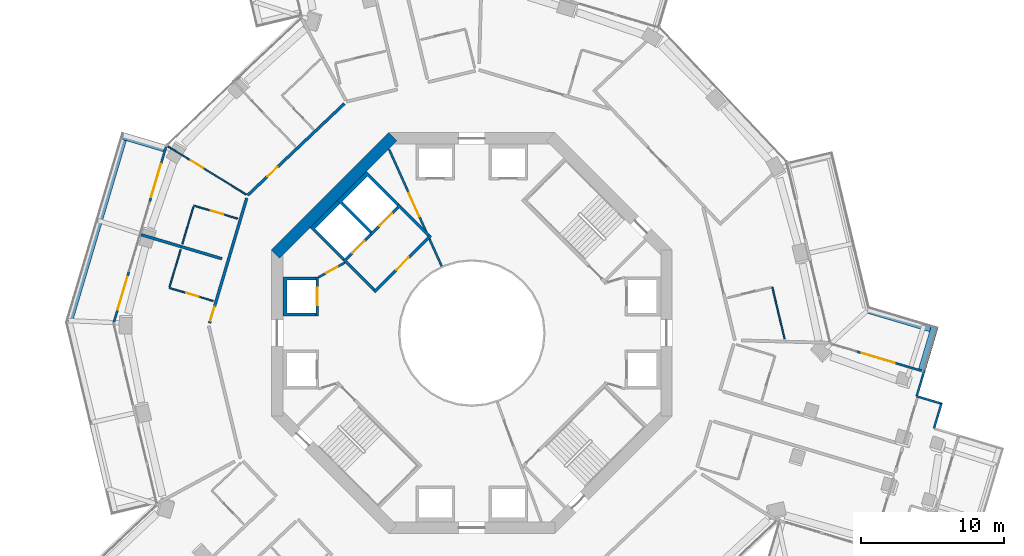
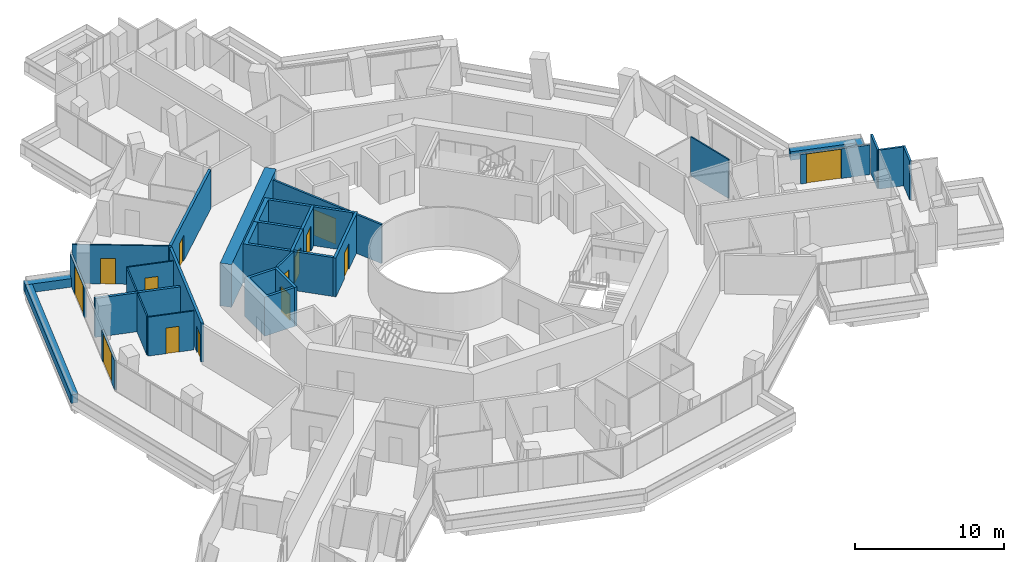
# One storey, part 21 of 27: 32 walls, 14 doors, 14 openings.
"""IFC4 building model written with IfcOpenShell, lengths in metres."""

from ifc_helpers import new_model, si_unit, direction, frame, frame_2d, origin, place, context, subcontext, project, spatial, polyline, rectangle, outline, extrude, material, layer, layer_set, type_object, element, fill, save


model = new_model("IFC4")

# Units and contexts
model_context = context("Model", 3, precision=1e-05, world=origin(), true_north=direction((0.0, 1.0)))
body_context = subcontext(model_context, "Body", "Model", "MODEL_VIEW")
ifc_project = project(units=[si_unit("LENGTHUNIT", "METRE"), si_unit("AREAUNIT", "SQUARE_METRE"), si_unit("VOLUMEUNIT", "CUBIC_METRE"), si_unit("PLANEANGLEUNIT", "RADIAN"), si_unit("MASSUNIT", "GRAM", prefix="KILO")], contexts=[model_context])

# Site, building, storey
site_placement = place(None, origin())
site = spatial("IfcSite", under=ifc_project, at=site_placement, CompositionType="ELEMENT")
building_placement = place(site_placement, origin())
building = spatial("IfcBuilding", under=site, at=building_placement, Name="Verdalira Terraces Hotel", CompositionType="ELEMENT")
storey_placement = place(building_placement, frame((0.0, 0.0, 89.5)))
storey = spatial("IfcBuildingStorey", under=building, at=storey_placement, Name="L20", CompositionType="ELEMENT", Elevation=89.5)

# Walls
ifc_material_1 = material(Name="Concrete C40", Category="concrete")
ifc_layer_1 = layer(ifc_material_1, 0.5)
ifc_layer_set_1 = layer_set([ifc_layer_1], Name="Balcony planter trough with tree")
wall_type_1 = type_object("IfcWallType", Name="Balcony planter trough with tree", PredefinedType="SOLIDWALL", material=ifc_layer_set_1)
wall_1_placement = place(storey_placement, frame((-21.47168, 12.905029, 0.0), z_axis=(0.0, 0.0, 1.0), x_axis=(-0.958516635, 0.285036595, 0.0)))
element("IfcWall", 1, at=wall_1_placement, inside=storey, type_object=wall_type_1, Name="Balcony planter", PredefinedType="SOLIDWALL", context=body_context, shape_type="SweptSolid", body=[
    extrude(rectangle(XDim=3.199219, YDim=0.5, at=frame_2d((1.599609, 0.0))), origin(), (0.0, 0.0, 1.0), 0.699951),
])
wall_2_placement = place(storey_placement, frame((-24.369629, 13.506104, 0.0), z_axis=(0.0, 0.0, 1.0), x_axis=(-0.285024825, -0.958520135, 0.0)))
element("IfcWall", 2, at=wall_2_placement, inside=storey, type_object=wall_type_1, Name="Balcony planter", PredefinedType="SOLIDWALL", context=body_context, shape_type="SweptSolid", body=[
    extrude(rectangle(XDim=13.223633, YDim=0.5, at=frame_2d((6.611816, 0.0))), origin(), (0.0, 0.0, 1.0), 0.699951),
])
wall_3_placement = place(storey_placement, frame((31.445557, -2.568115, 0.0), z_axis=(0.0, 0.0, 1.0), x_axis=(0.284966478, 0.958537483, 0.0)))
element("IfcWall", 3, at=wall_3_placement, inside=storey, type_object=wall_type_1, Name="Balcony planter", PredefinedType="SOLIDWALL", context=body_context, shape_type="SweptSolid", body=[
    extrude(rectangle(XDim=3.198975, YDim=0.5, at=frame_2d((1.599609, 0.0))), origin(), (0.0, 0.0, 1.0), 0.699951),
])
wall_4_placement = place(storey_placement, frame((32.046387, 0.329834, 0.0), z_axis=(0.0, 0.0, 1.0), x_axis=(-0.958515207, 0.285041398, 0.0)))
element("IfcWall", 4, at=wall_4_placement, inside=storey, type_object=wall_type_1, Name="Balcony planter", PredefinedType="SOLIDWALL", context=body_context, shape_type="SweptSolid", body=[
    extrude(rectangle(XDim=4.517334, YDim=0.5, at=frame_2d((2.258789, 0.0))), origin(), (0.0, 0.0, 1.0), 0.699951),
])
ifc_material_2 = material(Name="Moisture-resistant gypsum board partition")
ifc_layer_2 = layer(ifc_material_2, 0.10009765625)
ifc_layer_set_2 = layer_set([ifc_layer_2], Name="Bathroom partition 100 mm")
wall_type_2 = type_object("IfcWallType", Name="Bathroom partition 100 mm", PredefinedType="PARTITIONING", material=ifc_layer_set_2)
for number, where, z_axis, x_axis, name in (
    (5, (-21.107422, 3.250732, 0.0), (0.0, 0.0, 1.0), (0.285082528, 0.958502975, 0.0), "Bathroom partition"),
    (6, (-19.454102, 8.810303, 0.0), (0.0, 0.0, 1.0), (-0.284999457, -0.958527678, 0.0), "Bathroom partition"),
):
    element("IfcWall", number, at=place(storey_placement, frame(where, z_axis=z_axis, x_axis=x_axis)), inside=storey, type_object=wall_type_2, Name=name, PredefinedType="PARTITIONING", context=body_context, shape_type="SweptSolid", body=[
        extrude(rectangle(XDim=2.700195, YDim=0.100098, at=frame_2d((1.350098, 0.0))), origin(), (0.0, 0.0, 1.0), 3.189941),
    ])

# Wall, opening, door
wall_5_placement = place(storey_placement, frame((-21.135742, 3.155029, 0.0), z_axis=(0.0, 0.0, 1.0), x_axis=(0.958514386, -0.285044157, 0.0)))
wall_5 = element("IfcWall", 7, at=wall_5_placement, inside=storey, type_object=wall_type_2, Name="Bathroom partition", PredefinedType="PARTITIONING", context=body_context, shape_type="SweptSolid", body=[
    extrude(rectangle(XDim=3.199951, YDim=0.100098, at=frame_2d((1.600098, 0.0))), origin(), (0.0, 0.0, 1.0), 3.189941),
])
opening_1_placement = place(wall_5_placement, frame((1.25, 0.0, 0.0)))
opening_1 = element("IfcOpeningElement", 8, at=opening_1_placement, cuts=wall_5, Name="Opening L20-112", PredefinedType="OPENING", context=body_context, shape_type="SweptSolid", body=[
    extrude(rectangle(XDim=0.899902, YDim=2.100098, at=frame_2d((0.449951, 1.050049))), frame((0.0, 0.060059, 0.0), z_axis=(0.0, -1.0, 0.0), x_axis=(1.0, 0.0, 0.0)), (0.0, 0.0, 1.0), 0.120117),
])
ifc_material_3 = material(Name="Timber door", Category="wood")
door_type_1 = type_object("IfcDoorType", Name="Bathroom door 900 x 2100", OperationType="NOTDEFINED", PredefinedType="DOOR", material=ifc_material_3)
door_1_placement = place(opening_1_placement, origin())
door_1 = element("IfcDoor", 9, at=door_1_placement, inside=storey, type_object=door_type_1, Name="Bathroom door 2004", OperationType="SINGLE_SWING_LEFT", OverallHeight=2.10009765625, OverallWidth=0.89990234375, PredefinedType="DOOR", context=body_context, shape_type="SweptSolid", body=[
    extrude(rectangle(XDim=0.899902, YDim=2.100098, at=frame_2d((0.449951, 1.050049))), frame((0.0, 0.024902, 0.0), z_axis=(0.0, -1.0, 0.0), x_axis=(1.0, 0.0, 0.0)), (0.0, 0.0, 1.0), 0.050049),
])
fill(opening_1, door_1)

wall_6_placement = place(storey_placement, frame((-15.753662, 9.676514, 0.0), z_axis=(0.0, 0.0, 1.0), x_axis=(-0.852094241, 0.523388388, 0.0)))
wall_6 = element("IfcWall", 10, at=wall_6_placement, inside=storey, type_object=wall_type_2, Name="Bathroom partition", PredefinedType="PARTITIONING", context=body_context, shape_type="SweptSolid", body=[
    extrude(rectangle(XDim=6.47583, YDim=0.100098, at=frame_2d((3.237793, 0.0))), origin(), (0.0, 0.0, 1.0), 3.189941),
])
opening_2_placement = place(wall_6_placement, frame((3.550049, 0.0, 0.0)))
opening_2 = element("IfcOpeningElement", 11, at=opening_2_placement, cuts=wall_6, Name="Opening L20-108", PredefinedType="OPENING", context=body_context, shape_type="SweptSolid", body=[
    extrude(rectangle(XDim=1.0, YDim=2.100098, at=frame_2d((0.5, 1.050049))), frame((0.0, 0.060059, 0.0), z_axis=(0.0, -1.0, 0.0), x_axis=(1.0, 0.0, 0.0)), (0.0, 0.0, 1.0), 0.120117),
])
ifc_material_4 = material(Name="Timber door", Category="wood")
door_type_2 = type_object("IfcDoorType", Name="Suite internal door 1000 x 2100", OperationType="NOTDEFINED", PredefinedType="DOOR", material=ifc_material_4)
door_2_placement = place(opening_2_placement, origin())
door_2 = element("IfcDoor", 12, at=door_2_placement, inside=storey, type_object=door_type_2, Name="Suite internal door 2003", OperationType="SINGLE_SWING_LEFT", OverallHeight=2.10009765625, OverallWidth=1.0, PredefinedType="DOOR", context=body_context, shape_type="SweptSolid", body=[
    extrude(rectangle(XDim=1.0, YDim=2.100098, at=frame_2d((0.5, 1.050049))), frame((0.0, 0.024902, 0.0), z_axis=(0.0, -1.0, 0.0), x_axis=(1.0, 0.0, 0.0)), (0.0, 0.0, 1.0), 0.050049),
])
fill(opening_2, door_2)

wall_7_placement = place(storey_placement, frame((-16.358398, 7.993896, 0.0), z_axis=(0.0, 0.0, 1.0), x_axis=(-0.958520585, 0.285023313, 0.0)))
wall_7 = element("IfcWall", 13, at=wall_7_placement, inside=storey, type_object=wall_type_2, Name="Bathroom partition", PredefinedType="PARTITIONING", context=body_context, shape_type="SweptSolid", body=[
    extrude(rectangle(XDim=3.200195, YDim=0.100098, at=frame_2d((1.600098, 0.0))), origin(), (0.0, 0.0, 1.0), 3.189941),
])
opening_3_placement = place(wall_7_placement, frame((1.050049, 0.0, 0.0)))
opening_3 = element("IfcOpeningElement", 14, at=opening_3_placement, cuts=wall_7, Name="Opening L20-110", PredefinedType="OPENING", context=body_context, shape_type="SweptSolid", body=[
    extrude(rectangle(XDim=0.899902, YDim=2.100098, at=frame_2d((0.449951, 1.050049))), frame((0.0, 0.060059, 0.0), z_axis=(0.0, -1.0, 0.0), x_axis=(1.0, 0.0, 0.0)), (0.0, 0.0, 1.0), 0.120117),
])
door_3_placement = place(opening_3_placement, origin())
door_3 = element("IfcDoor", 15, at=door_3_placement, inside=storey, type_object=door_type_1, Name="Bathroom door 2003", OperationType="SINGLE_SWING_RIGHT", OverallHeight=2.10009765625, OverallWidth=0.89990234375, PredefinedType="DOOR", context=body_context, shape_type="SweptSolid", body=[
    extrude(rectangle(XDim=0.899902, YDim=2.100098, at=frame_2d((0.449951, 1.050049))), frame((0.0, 0.024902, 0.0), z_axis=(0.0, -1.0, 0.0), x_axis=(1.0, 0.0, 0.0)), (0.0, 0.0, 1.0), 0.050049),
])
fill(opening_3, door_3)

# Walls
wall_8_placement = place(storey_placement, frame((20.987549, 3.20752, 0.0), z_axis=(0.0, 0.0, 1.0), x_axis=(0.232410563, -0.972617772, 0.0)))
element("IfcWall", 16, at=wall_8_placement, inside=storey, type_object=wall_type_2, Name="Bathroom partition", PredefinedType="PARTITIONING", context=body_context, shape_type="SweptSolid", body=[
    extrude(rectangle(XDim=3.703857, YDim=0.100098, at=frame_2d((1.852051, 0.0))), origin(), (0.0, 0.0, 1.0), 3.189941),
])
ifc_material_5 = material(Name="Concrete C50", Category="concrete")
ifc_layer_3 = layer(ifc_material_5, 0.199951171875)
ifc_layer_set_3 = layer_set([ifc_layer_3], Name="Core RC wall 200 C50")
wall_type_3 = type_object("IfcWallType", Name="Core RC wall 200 C50", PredefinedType="SOLIDWALL", material=ifc_layer_set_3)
wall_9_placement = place(storey_placement, origin())
element("IfcWall", 17, at=wall_9_placement, inside=storey, type_object=wall_type_3, Name="L20 shaft wall W1", PredefinedType="SOLIDWALL", context=body_context, shape_type="SweptSolid", body=[
    extrude(outline(polyline([(-13.199951, 3.899902), (-10.899902, 3.899902), (-10.899902, 3.699951), (-12.899902, 3.699951), (-12.899902, 1.399902), (-10.899902, 1.399902), (-10.899902, 1.199951), (-13.199951, 1.199951), (-13.199951, 3.899902)])), origin(), (0.0, 0.0, 1.0), 3.189941),
])

# Wall, opening, door
wall_10_placement = place(storey_placement, frame((-10.800049, 1.199951, 0.0), z_axis=(0.0, 0.0, 1.0), x_axis=(0.0, 1.0, 0.0)))
wall_10 = element("IfcWall", 18, at=wall_10_placement, inside=storey, type_object=wall_type_3, Name="L20 shaft front wall W1", PredefinedType="SOLIDWALL", context=body_context, shape_type="SweptSolid", body=[
    extrude(rectangle(XDim=2.699951, YDim=0.199951, at=frame_2d((1.350098, 0.0))), origin(), (0.0, 0.0, 1.0), 3.189941),
])
opening_4_placement = place(wall_10_placement, frame((0.75, 0.0, 0.0)))
opening_4 = element("IfcOpeningElement", 19, at=opening_4_placement, cuts=wall_10, Name="Opening LD-L20-805", PredefinedType="OPENING", context=body_context, shape_type="SweptSolid", body=[
    extrude(rectangle(XDim=1.199951, YDim=2.100098, at=frame_2d((0.600098, 1.050049))), frame((0.0, 0.109863, 0.0), z_axis=(0.0, -1.0, 0.0), x_axis=(1.0, 0.0, 0.0)), (0.0, 0.0, 1.0), 0.219971),
])
ifc_material_6 = material(Name="Stainless steel", Category="steel")
door_type_3 = type_object("IfcDoorType", Name="Landing door 1200 x 2100", OperationType="NOTDEFINED", PredefinedType="DOOR", material=ifc_material_6)
door_4_placement = place(opening_4_placement, origin())
door_4 = element("IfcDoor", 20, at=door_4_placement, inside=storey, type_object=door_type_3, Name="Lift landing door LR5 L20", OperationType="DOUBLE_DOOR_SLIDING", OverallHeight=2.10009765625, OverallWidth=1.199951171875, PredefinedType="DOOR", context=body_context, shape_type="SweptSolid", body=[
    extrude(rectangle(XDim=1.199951, YDim=2.100098, at=frame_2d((0.600098, 1.050049))), frame((0.0, 0.024902, 0.0), z_axis=(0.0, -1.0, 0.0), x_axis=(1.0, 0.0, 0.0)), (0.0, 0.0, 1.0), 0.050049),
])
fill(opening_4, door_4)

# Wall
wall_11_placement = place(storey_placement, origin())
element("IfcWall", 21, at=wall_11_placement, inside=storey, type_object=wall_type_3, Name="L20 shaft wall F1", PredefinedType="SOLIDWALL", context=body_context, shape_type="SweptSolid", body=[
    extrude(outline(polyline([(-9.404541, 9.263184), (-7.354004, 11.313721), (-5.055908, 9.015625), (-5.197266, 8.874268), (-7.283203, 10.960205), (-9.051025, 9.192383), (-6.965088, 7.106445), (-7.106445, 6.965088), (-9.404541, 9.263184)])), origin(), (0.0, 0.0, 1.0), 3.189941),
])

# Wall, opening, door
wall_12_placement = place(storey_placement, frame((-4.985107, 8.944824, 0.0), z_axis=(0.0, 0.0, 1.0), x_axis=(-0.707106781, -0.707106781, 0.0)))
wall_12 = element("IfcWall", 22, at=wall_12_placement, inside=storey, type_object=wall_type_3, Name="L20 shaft front wall F1", PredefinedType="SOLIDWALL", context=body_context, shape_type="SweptSolid", body=[
    extrude(rectangle(XDim=2.899902, YDim=0.199951, at=frame_2d((1.449951, 0.0))), origin(), (0.0, 0.0, 1.0), 3.189941),
])
opening_5_placement = place(wall_12_placement, frame((0.850098, 0.0, 0.0)))
opening_5 = element("IfcOpeningElement", 23, at=opening_5_placement, cuts=wall_12, Name="Opening LD-L20-807", PredefinedType="OPENING", context=body_context, shape_type="SweptSolid", body=[
    extrude(rectangle(XDim=1.199951, YDim=2.100098, at=frame_2d((0.600098, 1.050049))), frame((0.0, 0.109863, 0.0), z_axis=(0.0, -1.0, 0.0), x_axis=(1.0, 0.0, 0.0)), (0.0, 0.0, 1.0), 0.219971),
])
door_5_placement = place(opening_5_placement, origin())
door_5 = element("IfcDoor", 24, at=door_5_placement, inside=storey, type_object=door_type_3, Name="Lift landing door LF11 L20", OperationType="DOUBLE_DOOR_SLIDING", OverallHeight=2.10009765625, OverallWidth=1.199951171875, PredefinedType="DOOR", context=body_context, shape_type="SweptSolid", body=[
    extrude(rectangle(XDim=1.199951, YDim=2.100098, at=frame_2d((0.600098, 1.050049))), frame((0.0, 0.024902, 0.0), z_axis=(0.0, -1.0, 0.0), x_axis=(1.0, 0.0, 0.0)), (0.0, 0.0, 1.0), 0.050049),
])
fill(opening_5, door_5)

# Wall
wall_13_placement = place(storey_placement, origin())
element("IfcWall", 25, at=wall_13_placement, inside=storey, type_object=wall_type_3, Name="L20 shaft wall F2", PredefinedType="SOLIDWALL", context=body_context, shape_type="SweptSolid", body=[
    extrude(outline(polyline([(-11.313721, 7.354004), (-9.404541, 9.263184), (-9.192383, 9.051025), (-10.960205, 7.283203), (-8.874268, 5.197266), (-9.015625, 5.055908), (-11.313721, 7.354004)])), origin(), (0.0, 0.0, 1.0), 3.189941),
])

# Wall, opening, door
wall_14_placement = place(storey_placement, frame((-7.035645, 6.894287, 0.0), z_axis=(0.0, 0.0, 1.0), x_axis=(-0.707106781, -0.707106781, 0.0)))
wall_14 = element("IfcWall", 26, at=wall_14_placement, inside=storey, type_object=wall_type_3, Name="L20 shaft front wall F2", PredefinedType="SOLIDWALL", context=body_context, shape_type="SweptSolid", body=[
    extrude(rectangle(XDim=2.699951, YDim=0.199951, at=frame_2d((1.350098, 0.0))), origin(), (0.0, 0.0, 1.0), 3.189941),
])
opening_6_placement = place(wall_14_placement, frame((0.649902, 0.0, 0.0)))
opening_6 = element("IfcOpeningElement", 27, at=opening_6_placement, cuts=wall_14, Name="Opening LD-L20-808", PredefinedType="OPENING", context=body_context, shape_type="SweptSolid", body=[
    extrude(rectangle(XDim=1.199951, YDim=2.100098, at=frame_2d((0.600098, 1.050049))), frame((0.0, 0.109863, 0.0), z_axis=(0.0, -1.0, 0.0), x_axis=(1.0, 0.0, 0.0)), (0.0, 0.0, 1.0), 0.219971),
])
door_6_placement = place(opening_6_placement, origin())
door_6 = element("IfcDoor", 28, at=door_6_placement, inside=storey, type_object=door_type_3, Name="Lift landing door LF12 L20", OperationType="DOUBLE_DOOR_SLIDING", OverallHeight=2.10009765625, OverallWidth=1.199951171875, PredefinedType="DOOR", context=body_context, shape_type="SweptSolid", body=[
    extrude(rectangle(XDim=1.199951, YDim=2.100098, at=frame_2d((0.600098, 1.050049))), frame((0.0, 0.024902, 0.0), z_axis=(0.0, -1.0, 0.0), x_axis=(1.0, 0.0, 0.0)), (0.0, 0.0, 1.0), 0.050049),
])
fill(opening_6, door_6)

wall_15_placement = place(storey_placement, frame((-2.86377, 6.823486, 0.0), z_axis=(0.0, 0.0, 1.0), x_axis=(-0.707106781, -0.707106781, 0.0)))
wall_15 = element("IfcWall", 29, at=wall_15_placement, inside=storey, type_object=wall_type_3, Name="L20 fire lobby wall", PredefinedType="SOLIDWALL", context=body_context, shape_type="SweptSolid", body=[
    extrude(rectangle(XDim=5.599854, YDim=0.199951, at=frame_2d((2.799805, 0.0))), origin(), (0.0, 0.0, 1.0), 3.189941),
])
opening_7_placement = place(wall_15_placement, frame((2.199951, 0.0, 0.0)))
opening_7 = element("IfcOpeningElement", 30, at=opening_7_placement, cuts=wall_15, Name="Opening L20-819", PredefinedType="OPENING", context=body_context, shape_type="SweptSolid", body=[
    extrude(rectangle(XDim=1.199951, YDim=2.100098, at=frame_2d((0.600098, 1.050049))), frame((0.0, 0.109863, 0.0), z_axis=(0.0, -1.0, 0.0), x_axis=(1.0, 0.0, 0.0)), (0.0, 0.0, 1.0), 0.219971),
])
ifc_material_7 = material(Name="Steel fire door", Category="steel")
door_type_4 = type_object("IfcDoorType", Name="Lobby door 1200 x 2100", OperationType="NOTDEFINED", PredefinedType="DOOR", material=ifc_material_7)
door_7_placement = place(opening_7_placement, origin())
door_7 = element("IfcDoor", 31, at=door_7_placement, inside=storey, type_object=door_type_4, Name="Fire lobby door L20", OperationType="SINGLE_SWING_LEFT", OverallHeight=2.10009765625, OverallWidth=1.199951171875, PredefinedType="DOOR", context=body_context, shape_type="SweptSolid", body=[
    extrude(rectangle(XDim=1.199951, YDim=2.100098, at=frame_2d((0.600098, 1.050049))), frame((0.0, 0.024902, 0.0), z_axis=(0.0, -1.0, 0.0), x_axis=(1.0, 0.0, 0.0)), (0.0, 0.0, 1.0), 0.050049),
])
fill(opening_7, door_7)

# Walls
for number, where, z_axis, x_axis, name in (
    (32, (-3.005127, 6.823486, 0.0), (0.0, 0.0, 1.0), (-0.707106781, 0.707106781, 0.0), "L20 fire lobby wall"),
    (33, (-6.823486, 3.005127, 0.0), (0.0, 0.0, 1.0), (-0.707106781, 0.707106781, 0.0), "L20 fire lobby wall"),
):
    element("IfcWall", number, at=place(storey_placement, frame(where, z_axis=z_axis, x_axis=x_axis)), inside=storey, type_object=wall_type_3, Name=name, PredefinedType="SOLIDWALL", context=body_context, shape_type="SweptSolid", body=[
        extrude(rectangle(XDim=2.800049, YDim=0.199951, at=frame_2d((1.399902, 0.0))), origin(), (0.0, 0.0, 1.0), 3.189941),
    ])

# Wall, opening, door
ifc_material_8 = material(Name="Gypsum board partition")
ifc_layer_4 = layer(ifc_material_8, 0.14990234375)
ifc_layer_set_4 = layer_set([ifc_layer_4], Name="Core partition 150 mm")
wall_type_4 = type_object("IfcWallType", Name="Core partition 150 mm", PredefinedType="PARTITIONING", material=ifc_layer_set_4)
wall_16_placement = place(storey_placement, frame((-8.874268, 4.914307, 0.0), z_axis=(0.0, 0.0, 1.0), x_axis=(-0.874129705, -0.485692555, 0.0)))
wall_16 = element("IfcWall", 34, at=wall_16_placement, inside=storey, type_object=wall_type_4, Name="Room partition L20", PredefinedType="PARTITIONING", context=body_context, shape_type="SweptSolid", body=[
    extrude(rectangle(XDim=2.088623, YDim=0.149902, at=frame_2d((1.044434, 0.0))), origin(), (0.0, 0.0, 1.0), 3.189941),
])
opening_8_placement = place(wall_16_placement, frame((0.594238, 0.0, 0.0)))
opening_8 = element("IfcOpeningElement", 35, at=opening_8_placement, cuts=wall_16, Name="Opening L20-821", PredefinedType="OPENING", context=body_context, shape_type="SweptSolid", body=[
    extrude(rectangle(XDim=0.899902, YDim=2.100098, at=frame_2d((0.449951, 1.050049))), frame((0.0, 0.084961, 0.0), z_axis=(0.0, -1.0, 0.0), x_axis=(1.0, 0.0, 0.0)), (0.0, 0.0, 1.0), 0.169922),
])
ifc_material_9 = material(Name="Steel fire door", Category="steel")
door_type_5 = type_object("IfcDoorType", Name="Core room door 900 x 2100", OperationType="NOTDEFINED", PredefinedType="DOOR", material=ifc_material_9)
door_8_placement = place(opening_8_placement, origin())
door_8 = element("IfcDoor", 36, at=door_8_placement, inside=storey, type_object=door_type_5, Name="Door L20 room3", OperationType="SINGLE_SWING_LEFT", OverallHeight=2.10009765625, OverallWidth=0.89990234375, PredefinedType="DOOR", context=body_context, shape_type="SweptSolid", body=[
    extrude(rectangle(XDim=0.899902, YDim=2.100098, at=frame_2d((0.449951, 1.050049))), frame((0.0, 0.024902, 0.0), z_axis=(0.0, -1.0, 0.0), x_axis=(1.0, 0.0, 0.0)), (0.0, 0.0, 1.0), 0.050049),
])
fill(opening_8, door_8)

wall_17_placement = place(storey_placement, frame((-5.783691, 12.843994, 0.0), z_axis=(0.0, 0.0, 1.0), x_axis=(0.41058002, -0.91182457, 0.0)))
wall_17 = element("IfcWall", 37, at=wall_17_placement, inside=storey, type_object=wall_type_4, Name="Gallery fire partition L20", PredefinedType="PARTITIONING", context=body_context, shape_type="SweptSolid", body=[
    extrude(rectangle(XDim=8.956299, YDim=0.149902, at=frame_2d((4.478027, 0.0))), origin(), (0.0, 0.0, 1.0), 3.189941),
])
opening_9_placement = place(wall_17_placement, frame((3.356201, 0.0, 0.0)))
opening_9 = element("IfcOpeningElement", 38, at=opening_9_placement, cuts=wall_17, Name="Opening L20-824", PredefinedType="OPENING", context=body_context, shape_type="SweptSolid", body=[
    extrude(rectangle(XDim=1.800049, YDim=2.100098, at=frame_2d((0.899902, 1.050049))), frame((0.0, 0.084961, 0.0), z_axis=(0.0, -1.0, 0.0), x_axis=(1.0, 0.0, 0.0)), (0.0, 0.0, 1.0), 0.169922),
])
ifc_material_10 = material(Name="Steel fire door", Category="steel")
door_type_6 = type_object("IfcDoorType", Name="Gallery fire door pair 1800 x 2100", OperationType="NOTDEFINED", PredefinedType="DOOR", material=ifc_material_10)
door_9_placement = place(opening_9_placement, origin())
door_9 = element("IfcDoor", 39, at=door_9_placement, inside=storey, type_object=door_type_6, Name="Door L20 split2", OperationType="DOUBLE_DOOR_SINGLE_SWING", OverallHeight=2.10009765625, OverallWidth=1.800048828125, PredefinedType="DOOR", context=body_context, shape_type="SweptSolid", body=[
    extrude(rectangle(XDim=1.800049, YDim=2.100098, at=frame_2d((0.899902, 1.050049))), frame((0.0, 0.024902, 0.0), z_axis=(0.0, -1.0, 0.0), x_axis=(1.0, 0.0, 0.0)), (0.0, 0.0, 1.0), 0.050049),
])
fill(opening_9, door_9)

# Walls
ifc_material_11 = material(Name="Concrete C70", Category="concrete")
ifc_layer_5 = layer(ifc_material_11, 0.800048828125)
ifc_layer_set_5 = layer_set([ifc_layer_5], Name="Core wall 800 C70")
wall_type_5 = type_object("IfcWallType", Name="Core wall 800 C70", PredefinedType="SHEAR", material=ifc_layer_set_5)
wall_18_placement = place(storey_placement, frame((-5.516113, 13.717285, 0.0), z_axis=(0.0, 0.0, 1.0), x_axis=(-0.707106781, -0.707106781, 0.0)))
element("IfcWall", 40, at=wall_18_placement, inside=storey, type_object=wall_type_5, Name="Core wall CW-L20-4", PredefinedType="SHEAR", context=body_context, shape_type="SweptSolid", body=[
    extrude(rectangle(XDim=11.598145, YDim=0.800049, at=frame_2d((5.799072, 0.0))), origin(), (0.0, 0.0, 1.0), 3.5),
])
ifc_material_12 = material(Name="Fire-rated gypsum board wall")
ifc_layer_6 = layer(ifc_material_12, 0.199951171875)
ifc_layer_set_6 = layer_set([ifc_layer_6], Name="Demising wall 200 mm")
wall_type_6 = type_object("IfcWallType", Name="Demising wall 200 mm", PredefinedType="SOLIDWALL", material=ifc_layer_set_6)
wall_19_placement = place(storey_placement, frame((-20.280762, 6.030518, 0.0), z_axis=(0.0, 0.0, 1.0), x_axis=(-0.958520469, 0.2850237, 0.0)))
element("IfcWall", 41, at=wall_19_placement, inside=storey, type_object=wall_type_6, Name="Demising wall", PredefinedType="SOLIDWALL", context=body_context, shape_type="SweptSolid", body=[
    extrude(rectangle(XDim=2.949951, YDim=0.199951, at=frame_2d((1.475098, 0.0))), origin(), (0.0, 0.0, 1.0), 3.189941),
])
wall_20_placement = place(storey_placement, frame((-17.450439, 5.188965, 0.0), z_axis=(0.0, 0.0, 1.0), x_axis=(-0.958526589, 0.285003119, 0.0)))
element("IfcWall", 42, at=wall_20_placement, inside=storey, type_object=wall_type_6, Name="Demising wall", PredefinedType="SOLIDWALL", context=body_context, shape_type="SweptSolid", body=[
    extrude(rectangle(XDim=2.952881, YDim=0.199951, at=frame_2d((1.476562, 0.0))), origin(), (0.0, 0.0, 1.0), 3.189941),
])

# Wall, opening, door
ifc_material_13 = material(Name="Fire-rated gypsum board wall")
ifc_layer_7 = layer(ifc_material_13, 0.199951171875)
ifc_layer_set_7 = layer_set([ifc_layer_7], Name="Guest corridor wall 200 mm")
wall_type_7 = type_object("IfcWallType", Name="Guest corridor wall 200 mm", PredefinedType="SOLIDWALL", material=ifc_layer_set_7)
wall_21_placement = place(storey_placement, frame((-18.320801, 0.692627, 0.0), z_axis=(0.0, 0.0, 1.0), x_axis=(0.28503012, 0.95851856, 0.0)))
wall_21 = element("IfcWall", 43, at=wall_21_placement, inside=storey, type_object=wall_type_7, Name="Guest corridor wall", PredefinedType="SOLIDWALL", context=body_context, shape_type="SweptSolid", body=[
    extrude(rectangle(XDim=9.116211, YDim=0.199951, at=frame_2d((4.558105, 0.0))), origin(), (0.0, 0.0, 1.0), 3.189941),
])
opening_10_placement = place(wall_21_placement, frame((0.199951, 0.0, 0.0)))
opening_10 = element("IfcOpeningElement", 44, at=opening_10_placement, cuts=wall_21, Name="Opening L20-111", PredefinedType="OPENING", context=body_context, shape_type="SweptSolid", body=[
    extrude(rectangle(XDim=1.0, YDim=2.100098, at=frame_2d((0.5, 1.050049))), frame((0.0, 0.109863, 0.0), z_axis=(0.0, -1.0, 0.0), x_axis=(1.0, 0.0, 0.0)), (0.0, 0.0, 1.0), 0.219971),
])
ifc_material_14 = material(Name="Timber fire door", Category="wood")
door_type_7 = type_object("IfcDoorType", Name="Guest entry door 1000 x 2100", OperationType="NOTDEFINED", PredefinedType="DOOR", material=ifc_material_14)
door_10_placement = place(opening_10_placement, origin())
door_10 = element("IfcDoor", 45, at=door_10_placement, inside=storey, type_object=door_type_7, Name="Guest entry door 2004", OperationType="SINGLE_SWING_LEFT", OverallHeight=2.10009765625, OverallWidth=1.0, PredefinedType="DOOR", context=body_context, shape_type="SweptSolid", body=[
    extrude(rectangle(XDim=1.0, YDim=2.100098, at=frame_2d((0.5, 1.050049))), frame((0.0, 0.024902, 0.0), z_axis=(0.0, -1.0, 0.0), x_axis=(1.0, 0.0, 0.0)), (0.0, 0.0, 1.0), 0.050049),
])
fill(opening_10, door_10)

wall_22_placement = place(storey_placement, frame((-15.665527, 9.622314, 0.0), z_axis=(0.0, 0.0, 1.0), x_axis=(0.726079372, 0.687610897, 0.0)))
wall_22 = element("IfcWall", 46, at=wall_22_placement, inside=storey, type_object=wall_type_7, Name="Guest corridor wall", PredefinedType="SOLIDWALL", context=body_context, shape_type="SweptSolid", body=[
    extrude(rectangle(XDim=9.31665, YDim=0.199951, at=frame_2d((4.658203, 0.0))), origin(), (0.0, 0.0, 1.0), 3.189941),
])
opening_11_placement = place(wall_22_placement, frame((1.899902, 0.0, 0.0)))
opening_11 = element("IfcOpeningElement", 47, at=opening_11_placement, cuts=wall_22, Name="Opening L20-106", PredefinedType="OPENING", context=body_context, shape_type="SweptSolid", body=[
    extrude(rectangle(XDim=1.0, YDim=2.100098, at=frame_2d((0.5, 1.050049))), frame((0.0, 0.109863, 0.0), z_axis=(0.0, -1.0, 0.0), x_axis=(1.0, 0.0, 0.0)), (0.0, 0.0, 1.0), 0.219971),
])
door_11_placement = place(opening_11_placement, origin())
door_11 = element("IfcDoor", 48, at=door_11_placement, inside=storey, type_object=door_type_7, Name="Guest entry door 2003", OperationType="SINGLE_SWING_LEFT", OverallHeight=2.10009765625, OverallWidth=1.0, PredefinedType="DOOR", context=body_context, shape_type="SweptSolid", body=[
    extrude(rectangle(XDim=1.0, YDim=2.100098, at=frame_2d((0.5, 1.050049))), frame((0.0, 0.024902, 0.0), z_axis=(0.0, -1.0, 0.0), x_axis=(1.0, 0.0, 0.0)), (0.0, 0.0, 1.0), 0.050049),
])
fill(opening_11, door_11)

# Walls
ifc_material_15 = material(Name="Terracotta cladding", Category="masonry")
ifc_layer_8 = layer(ifc_material_15, 0.14990234375)
ifc_layer_set_8 = layer_set([ifc_layer_8], Name="Terracotta clad wall 150")
wall_type_8 = type_object("IfcWallType", Name="Terracotta clad wall 150", PredefinedType="SOLIDWALL", material=ifc_layer_set_8)
wall_23_placement = place(storey_placement, frame((32.290771, -6.654541, 0.0), z_axis=(0.0, 0.0, 1.0), x_axis=(0.285094882, 0.9584993, 0.0)))
element("IfcWall", 49, at=wall_23_placement, inside=storey, type_object=wall_type_8, Name="Terracotta cladding wall", PredefinedType="SOLIDWALL", context=body_context, shape_type="SweptSolid", body=[
    extrude(rectangle(XDim=1.800049, YDim=0.149902, at=frame_2d((0.899902, 0.0))), origin(), (0.0, 0.0, 1.0), 3.189941),
])
wall_24_placement = place(storey_placement, frame((32.875732, -4.950684, 0.0), z_axis=(0.0, 0.0, 1.0), x_axis=(-0.958515205, 0.285041405, 0.0)))
element("IfcWall", 50, at=wall_24_placement, inside=storey, type_object=wall_type_8, Name="Terracotta cladding wall", PredefinedType="SOLIDWALL", context=body_context, shape_type="SweptSolid", body=[
    extrude(rectangle(XDim=1.875, YDim=0.149902, at=frame_2d((0.9375, 0.0))), origin(), (0.0, 0.0, 1.0), 3.189941),
])
wall_25_placement = place(storey_placement, frame((31.078613, -4.41626, 0.0), z_axis=(0.0, 0.0, 1.0), x_axis=(0.285005832, 0.958525782, 0.0)))
element("IfcWall", 51, at=wall_25_placement, inside=storey, type_object=wall_type_8, Name="Terracotta cladding wall", PredefinedType="SOLIDWALL", context=body_context, shape_type="SweptSolid", body=[
    extrude(rectangle(XDim=1.875244, YDim=0.149902, at=frame_2d((0.9375, 0.0))), origin(), (0.0, 0.0, 1.0), 3.189941),
])

# Wall, opening, door
ifc_material_16 = material(Name="Terracotta cladding", Category="masonry")
ifc_layer_9 = layer(ifc_material_16, 0.14990234375)
ifc_layer_set_9 = layer_set([ifc_layer_9], Name="Terracotta door pier 150")
wall_type_9 = type_object("IfcWallType", Name="Terracotta door pier 150", PredefinedType="SOLIDWALL", material=ifc_layer_set_9)
wall_26_placement = place(storey_placement, frame((-21.356201, 13.0271, 0.0), z_axis=(0.0, 0.0, 1.0), x_axis=(-0.285017959, -0.958522177, 0.0)))
wall_26 = element("IfcWall", 52, at=wall_26_placement, inside=storey, type_object=wall_type_9, Name="Terracotta door pier", PredefinedType="SOLIDWALL", context=body_context, shape_type="SweptSolid", body=[
    extrude(rectangle(XDim=4.067871, YDim=0.149902, at=frame_2d((2.033936, 0.0))), origin(), (0.0, 0.0, 1.0), 2.425049),
])
opening_12_placement = place(wall_26_placement, frame((1.267822, 0.0, 0.0)))
opening_12 = element("IfcOpeningElement", 53, at=opening_12_placement, cuts=wall_26, Name="Opening L20-B04", PredefinedType="OPENING", context=body_context, shape_type="SweptSolid", body=[
    extrude(rectangle(XDim=2.399902, YDim=2.399902, at=frame_2d((1.199951, 1.199951))), frame((0.0, 0.084961, 0.0), z_axis=(0.0, -1.0, 0.0), x_axis=(1.0, 0.0, 0.0)), (0.0, 0.0, 1.0), 0.169922),
])
ifc_material_17 = material(Name="Clear glass", Category="glass")
door_type_8 = type_object("IfcDoorType", Name="Balcony sliding door 2400x2400", OperationType="NOTDEFINED", PredefinedType="DOOR", material=ifc_material_17)
door_12_placement = place(opening_12_placement, origin())
door_12 = element("IfcDoor", 54, at=door_12_placement, inside=storey, type_object=door_type_8, Name="Balcony sliding door", OperationType="SLIDING_TO_LEFT", OverallHeight=2.39990234375, OverallWidth=2.39990234375, PredefinedType="DOOR", context=body_context, shape_type="SweptSolid", body=[
    extrude(rectangle(XDim=2.399902, YDim=2.399902, at=frame_2d((1.199951, 1.199951))), frame((0.0, 0.024902, 0.0), z_axis=(0.0, -1.0, 0.0), x_axis=(1.0, 0.0, 0.0)), (0.0, 0.0, 1.0), 0.050049),
])
fill(opening_12, door_12)

wall_27_placement = place(storey_placement, frame((-23.946777, 4.314697, 0.0), z_axis=(0.0, 0.0, 1.0), x_axis=(-0.285047064, -0.958513522, 0.0)))
wall_27 = element("IfcWall", 55, at=wall_27_placement, inside=storey, type_object=wall_type_9, Name="Terracotta door pier", PredefinedType="SOLIDWALL", context=body_context, shape_type="SweptSolid", body=[
    extrude(rectangle(XDim=3.710205, YDim=0.149902, at=frame_2d((1.85498, 0.0))), origin(), (0.0, 0.0, 1.0), 2.425049),
])
opening_13_placement = place(wall_27_placement, frame((0.399902, 0.0, 0.0)))
opening_13 = element("IfcOpeningElement", 56, at=opening_13_placement, cuts=wall_27, Name="Opening L20-B05", PredefinedType="OPENING", context=body_context, shape_type="SweptSolid", body=[
    extrude(rectangle(XDim=2.399902, YDim=2.399902, at=frame_2d((1.199951, 1.199951))), frame((0.0, 0.084961, 0.0), z_axis=(0.0, -1.0, 0.0), x_axis=(1.0, 0.0, 0.0)), (0.0, 0.0, 1.0), 0.169922),
])
door_13_placement = place(opening_13_placement, origin())
door_13 = element("IfcDoor", 57, at=door_13_placement, inside=storey, type_object=door_type_8, Name="Balcony sliding door", OperationType="SLIDING_TO_RIGHT", OverallHeight=2.39990234375, OverallWidth=2.39990234375, PredefinedType="DOOR", context=body_context, shape_type="SweptSolid", body=[
    extrude(rectangle(XDim=2.399902, YDim=2.399902, at=frame_2d((1.199951, 1.199951))), frame((0.0, 0.024902, 0.0), z_axis=(0.0, -1.0, 0.0), x_axis=(1.0, 0.0, 0.0)), (0.0, 0.0, 1.0), 0.050049),
])
fill(opening_13, door_13)

wall_28_placement = place(storey_placement, frame((31.452637, -2.649414, 0.0), z_axis=(0.0, 0.0, 1.0), x_axis=(-0.958529205, 0.284994322, 0.0)))
wall_28 = element("IfcWall", 58, at=wall_28_placement, inside=storey, type_object=wall_type_9, Name="Terracotta door pier", PredefinedType="SOLIDWALL", context=body_context, shape_type="SweptSolid", body=[
    extrude(rectangle(XDim=4.788574, YDim=0.149902, at=frame_2d((2.394287, 0.0))), origin(), (0.0, 0.0, 1.0), 2.425049),
])
opening_14_placement = place(wall_28_placement, frame((1.98877, 0.0, 0.0)))
opening_14 = element("IfcOpeningElement", 59, at=opening_14_placement, cuts=wall_28, Name="Opening L20-B14", PredefinedType="OPENING", context=body_context, shape_type="SweptSolid", body=[
    extrude(rectangle(XDim=2.399902, YDim=2.399902, at=frame_2d((1.199951, 1.199951))), frame((0.0, 0.084961, 0.0), z_axis=(0.0, -1.0, 0.0), x_axis=(1.0, 0.0, 0.0)), (0.0, 0.0, 1.0), 0.169922),
])
door_14_placement = place(opening_14_placement, origin())
door_14 = element("IfcDoor", 60, at=door_14_placement, inside=storey, type_object=door_type_8, Name="Balcony sliding door", OperationType="SLIDING_TO_LEFT", OverallHeight=2.39990234375, OverallWidth=2.39990234375, PredefinedType="DOOR", context=body_context, shape_type="SweptSolid", body=[
    extrude(rectangle(XDim=2.399902, YDim=2.399902, at=frame_2d((1.199951, 1.199951))), frame((0.0, 0.024902, 0.0), z_axis=(0.0, -1.0, 0.0), x_axis=(1.0, 0.0, 0.0)), (0.0, 0.0, 1.0), 0.050049),
])
fill(opening_14, door_14)

save(model, "model.ifc")
